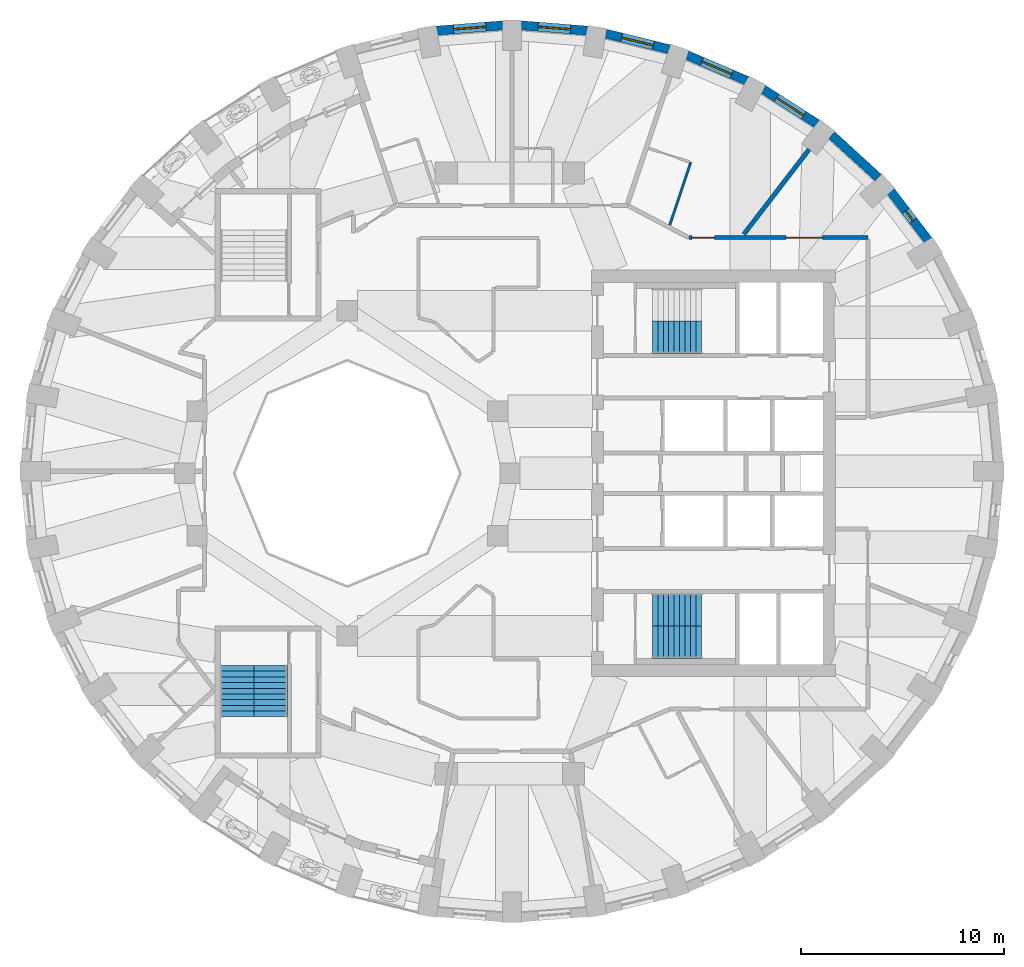
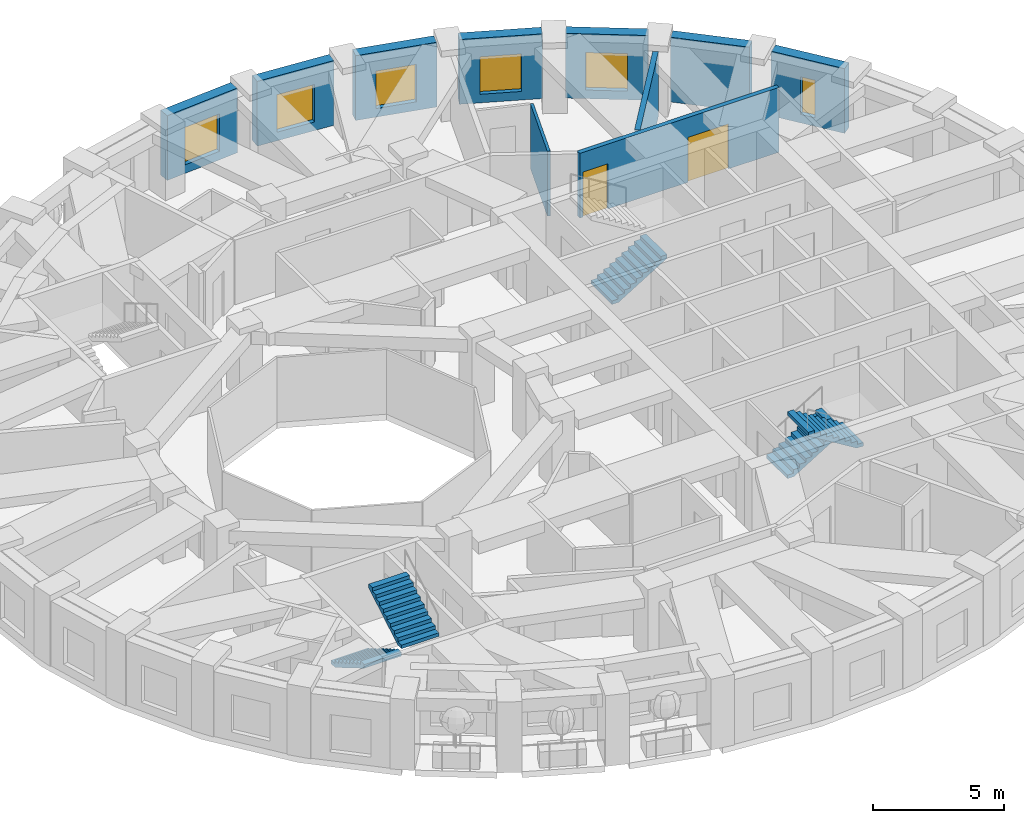
# One storey, part 8 of 12: 10 walls, 6 windows, 5 stair flights, 2 doors, 8 openings, 3 elements without a shape of their own.
"""IFC4 building model written with IfcOpenShell, lengths in metres."""

from ifc_helpers import new_model, si_unit, direction, frame, frame_2d, origin, place, context, subcontext, project, spatial, polyline, rectangle, outline, extrude, material, layer, layer_set, type_object, element, fill, aggregate, save


model = new_model("IFC4")

# Units and contexts
model_context = context("Model", 3, precision=1e-05, world=origin(), true_north=direction((0.0, 1.0)))
body_context = subcontext(model_context, "Body", "Model", "MODEL_VIEW")
ifc_project = project(units=[si_unit("LENGTHUNIT", "METRE"), si_unit("AREAUNIT", "SQUARE_METRE"), si_unit("VOLUMEUNIT", "CUBIC_METRE"), si_unit("PLANEANGLEUNIT", "RADIAN"), si_unit("MASSUNIT", "GRAM", prefix="KILO")], contexts=[model_context])

# Site, building, storey
site_placement = place(None, origin())
site = spatial("IfcSite", under=ifc_project, at=site_placement, CompositionType="ELEMENT")
building_placement = place(site_placement, origin())
building = spatial("IfcBuilding", under=site, at=building_placement, Name="Taillehof Tower", CompositionType="ELEMENT")
storey_placement = place(building_placement, frame((0.0, 0.0, 171.5)))
storey = spatial("IfcBuildingStorey", under=building, at=storey_placement, Name="L48", CompositionType="ELEMENT", Elevation=171.5)

# Wall, opening, window
ifc_material_1 = material(Name="Brick masonry", Category="masonry")
ifc_layer_1 = layer(ifc_material_1, 0.449951171875)
ifc_layer_set_1 = layer_set([ifc_layer_1], Name="Brick infill wall 450")
wall_type_1 = type_object("IfcWallType", Name="Brick infill wall 450", PredefinedType="SOLIDWALL", material=ifc_layer_set_1)
wall_1_placement = place(storey_placement, frame((20.573974609375, 11.467041015625, 0.0), z_axis=(0.0, 0.0, 1.0), x_axis=(-0.607817056371, 0.794077090706, 0.0)))
wall_1 = element("IfcWall", 1, at=wall_1_placement, inside=storey, type_object=wall_type_1, Name="Brick wall L48 bay 4", PredefinedType="SOLIDWALL", context=body_context, shape_type="SweptSolid", body=[
    extrude(rectangle(XDim=3.037109375, YDim=0.449951171875, at=frame_2d((1.5185546875, 0.0))), origin(), (0.0, 0.0, 1.0), 3.02001953125),
])
opening_1_placement = place(wall_1_placement, frame((1.218505859375, 0.0, 0.39990234375)))
opening_1 = element("IfcOpeningElement", 2, at=opening_1_placement, cuts=wall_1, Name="Opening W6", PredefinedType="OPENING", context=body_context, shape_type="SweptSolid", body=[
    extrude(rectangle(XDim=0.60009765625, YDim=1.75, at=frame_2d((0.300048828125, 0.875))), frame((0.0, 0.23486328125, 0.0), z_axis=(0.0, -1.0, 0.0), x_axis=(1.0, 0.0, 0.0)), (0.0, 0.0, 1.0), 0.469970703125),
])
ifc_material_2 = material(Name="Aluminium window frame with clear double glazing", Category="aluminium")
window_type_1 = type_object("IfcWindowType", Name="Slot window 600x1750", PartitioningType="SINGLE_PANEL", PredefinedType="WINDOW", material=ifc_material_2)
window_1_placement = place(opening_1_placement, origin())
window_1 = element("IfcWindow", 3, at=window_1_placement, inside=storey, type_object=window_type_1, Name="W6", OverallHeight=1.75, OverallWidth=0.60009765625, PartitioningType="SINGLE_PANEL", PredefinedType="WINDOW", context=body_context, shape_type="SweptSolid", body=[
    extrude(rectangle(XDim=0.60009765625, YDim=1.75, at=frame_2d((0.300048828125, 0.875))), frame((0.0, 0.034912109375, 0.0), z_axis=(0.0, -1.0, 0.0), x_axis=(1.0, 0.0, 0.0)), (0.0, 0.0, 1.0), 0.06005859375),
])
fill(opening_1, window_1)

# Wall
wall_2_placement = place(storey_placement, frame((18.11328125, 14.5498046875, 0.0), z_axis=(0.0, 0.0, 1.0), x_axis=(-0.737808755941, 0.675009807082, 0.0)))
element("IfcWall", 4, at=wall_2_placement, inside=storey, type_object=wall_type_1, Name="Brick wall L48 bay 5", PredefinedType="SOLIDWALL", context=body_context, shape_type="SweptSolid", body=[
    extrude(rectangle(XDim=3.094482421875, YDim=0.449951171875, at=frame_2d((1.54736328125, 0.0))), origin(), (0.0, 0.0, 1.0), 3.02001953125),
])

# Wall, opening, window
wall_3_placement = place(storey_placement, frame((15.1083984375, 17.193359375, 0.0), z_axis=(0.0, 0.0, 1.0), x_axis=(-0.842030726237, 0.539429565442, 0.0)))
wall_3 = element("IfcWall", 5, at=wall_3_placement, inside=storey, type_object=wall_type_1, Name="Brick wall L48 bay 6", PredefinedType="SOLIDWALL", context=body_context, shape_type="SweptSolid", body=[
    extrude(rectangle(XDim=3.1513671875, YDim=0.449951171875, at=frame_2d((1.57568359375, 0.0))), origin(), (0.0, 0.0, 1.0), 3.02001953125),
])
opening_2_placement = place(wall_3_placement, frame((0.775634765625, 0.0, 0.39990234375)))
opening_2 = element("IfcOpeningElement", 6, at=opening_2_placement, cuts=wall_3, Name="Opening W3", PredefinedType="OPENING", context=body_context, shape_type="SweptSolid", body=[
    extrude(rectangle(XDim=1.60009765625, YDim=1.75, at=frame_2d((0.800048828125, 0.875))), frame((0.0, 0.23486328125, 0.0), z_axis=(0.0, -1.0, 0.0), x_axis=(1.0, 0.0, 0.0)), (0.0, 0.0, 1.0), 0.469970703125),
])
ifc_material_3 = material(Name="Aluminium window frame with clear double glazing", Category="aluminium")
window_type_2 = type_object("IfcWindowType", Name="Deep-set window 1600x1750", PartitioningType="SINGLE_PANEL", PredefinedType="WINDOW", material=ifc_material_3)
window_2_placement = place(opening_2_placement, origin())
window_2 = element("IfcWindow", 7, at=window_2_placement, inside=storey, type_object=window_type_2, Name="W3", OverallHeight=1.75, OverallWidth=1.60009765625, PartitioningType="SINGLE_PANEL", PredefinedType="WINDOW", context=body_context, shape_type="SweptSolid", body=[
    extrude(rectangle(XDim=1.60009765625, YDim=1.75, at=frame_2d((0.800048828125, 0.875))), frame((0.0, 0.034912109375, 0.0), z_axis=(0.0, -1.0, 0.0), x_axis=(1.0, 0.0, 0.0)), (0.0, 0.0, 1.0), 0.06005859375),
])
fill(opening_2, window_2)

wall_4_placement = place(storey_placement, frame((11.650390625, 19.318603515625, 0.0), z_axis=(0.0, 0.0, 1.0), x_axis=(-0.91981046949, 0.392362969986, 0.0)))
wall_4 = element("IfcWall", 8, at=wall_4_placement, inside=storey, type_object=wall_type_1, Name="Brick wall L48 bay 7", PredefinedType="SOLIDWALL", context=body_context, shape_type="SweptSolid", body=[
    extrude(rectangle(XDim=3.20068359375, YDim=0.449951171875, at=frame_2d((1.600341796875, 0.0))), origin(), (0.0, 0.0, 1.0), 3.02001953125),
])
opening_3_placement = place(wall_4_placement, frame((0.80029296875, 0.0, 0.39990234375)))
opening_3 = element("IfcOpeningElement", 9, at=opening_3_placement, cuts=wall_4, Name="Opening W3", PredefinedType="OPENING", context=body_context, shape_type="SweptSolid", body=[
    extrude(rectangle(XDim=1.60009765625, YDim=1.75, at=frame_2d((0.800048828125, 0.875))), frame((0.0, 0.23486328125, 0.0), z_axis=(0.0, -1.0, 0.0), x_axis=(1.0, 0.0, 0.0)), (0.0, 0.0, 1.0), 0.469970703125),
])
window_3_placement = place(opening_3_placement, origin())
window_3 = element("IfcWindow", 10, at=window_3_placement, inside=storey, type_object=window_type_2, Name="W3", OverallHeight=1.75, OverallWidth=1.60009765625, PartitioningType="SINGLE_PANEL", PredefinedType="WINDOW", context=body_context, shape_type="SweptSolid", body=[
    extrude(rectangle(XDim=1.60009765625, YDim=1.75, at=frame_2d((0.800048828125, 0.875))), frame((0.0, 0.034912109375, 0.0), z_axis=(0.0, -1.0, 0.0), x_axis=(1.0, 0.0, 0.0)), (0.0, 0.0, 1.0), 0.06005859375),
])
fill(opening_3, window_3)

wall_5_placement = place(storey_placement, frame((7.843017578125, 20.8623046875, 0.0), z_axis=(0.0, 0.0, 1.0), x_axis=(-0.971237178372, 0.238114139328, 0.0)))
wall_5 = element("IfcWall", 11, at=wall_5_placement, inside=storey, type_object=wall_type_1, Name="Brick wall L48 bay 8", PredefinedType="SOLIDWALL", context=body_context, shape_type="SweptSolid", body=[
    extrude(rectangle(XDim=3.23681640625, YDim=0.449951171875, at=frame_2d((1.618408203125, 0.0))), origin(), (0.0, 0.0, 1.0), 3.02001953125),
])
opening_4_placement = place(wall_5_placement, frame((0.818359375, 0.0, 0.39990234375)))
opening_4 = element("IfcOpeningElement", 12, at=opening_4_placement, cuts=wall_5, Name="Opening W3", PredefinedType="OPENING", context=body_context, shape_type="SweptSolid", body=[
    extrude(rectangle(XDim=1.60009765625, YDim=1.75, at=frame_2d((0.800048828125, 0.875))), frame((0.0, 0.23486328125, 0.0), z_axis=(0.0, -1.0, 0.0), x_axis=(1.0, 0.0, 0.0)), (0.0, 0.0, 1.0), 0.469970703125),
])
window_4_placement = place(opening_4_placement, origin())
window_4 = element("IfcWindow", 13, at=window_4_placement, inside=storey, type_object=window_type_2, Name="W3", OverallHeight=1.75, OverallWidth=1.60009765625, PartitioningType="SINGLE_PANEL", PredefinedType="WINDOW", context=body_context, shape_type="SweptSolid", body=[
    extrude(rectangle(XDim=1.60009765625, YDim=1.75, at=frame_2d((0.800048828125, 0.875))), frame((0.0, 0.034912109375, 0.0), z_axis=(0.0, -1.0, 0.0), x_axis=(1.0, 0.0, 0.0)), (0.0, 0.0, 1.0), 0.06005859375),
])
fill(opening_4, window_4)

wall_6_placement = place(storey_placement, frame((3.80078125, 21.778076171875, 0.0), z_axis=(0.0, 0.0, 1.0), x_axis=(-0.996812416891, 0.079780984773, 0.0)))
wall_6 = element("IfcWall", 14, at=wall_6_placement, inside=storey, type_object=wall_type_1, Name="Brick wall L48 bay 9", PredefinedType="SOLIDWALL", context=body_context, shape_type="SweptSolid", body=[
    extrude(rectangle(XDim=3.256103515625, YDim=0.449951171875, at=frame_2d((1.6279296875, 0.0))), origin(), (0.0, 0.0, 1.0), 3.02001953125),
])
opening_5_placement = place(wall_6_placement, frame((0.827880859375, 0.0, 0.39990234375)))
opening_5 = element("IfcOpeningElement", 15, at=opening_5_placement, cuts=wall_6, Name="Opening W3", PredefinedType="OPENING", context=body_context, shape_type="SweptSolid", body=[
    extrude(rectangle(XDim=1.60009765625, YDim=1.75, at=frame_2d((0.800048828125, 0.875))), frame((0.0, 0.23486328125, 0.0), z_axis=(0.0, -1.0, 0.0), x_axis=(1.0, 0.0, 0.0)), (0.0, 0.0, 1.0), 0.469970703125),
])
window_5_placement = place(opening_5_placement, origin())
window_5 = element("IfcWindow", 16, at=window_5_placement, inside=storey, type_object=window_type_2, Name="W3", OverallHeight=1.75, OverallWidth=1.60009765625, PartitioningType="SINGLE_PANEL", PredefinedType="WINDOW", context=body_context, shape_type="SweptSolid", body=[
    extrude(rectangle(XDim=1.60009765625, YDim=1.75, at=frame_2d((0.800048828125, 0.875))), frame((0.0, 0.034912109375, 0.0), z_axis=(0.0, -1.0, 0.0), x_axis=(1.0, 0.0, 0.0)), (0.0, 0.0, 1.0), 0.06005859375),
])
fill(opening_5, window_5)

wall_7_placement = place(storey_placement, frame((-0.35498046875, 22.037841796875, 0.0), z_axis=(0.0, 0.0, 1.0), x_axis=(-0.996812416891, -0.079780984773, 0.0)))
wall_7 = element("IfcWall", 17, at=wall_7_placement, inside=storey, type_object=wall_type_1, Name="Brick wall L48 bay 10", PredefinedType="SOLIDWALL", context=body_context, shape_type="SweptSolid", body=[
    extrude(rectangle(XDim=3.256103515625, YDim=0.449951171875, at=frame_2d((1.6279296875, 0.0))), origin(), (0.0, 0.0, 1.0), 3.02001953125),
])
opening_6_placement = place(wall_7_placement, frame((0.827880859375, 0.0, 0.39990234375)))
opening_6 = element("IfcOpeningElement", 18, at=opening_6_placement, cuts=wall_7, Name="Opening W3", PredefinedType="OPENING", context=body_context, shape_type="SweptSolid", body=[
    extrude(rectangle(XDim=1.60009765625, YDim=1.75, at=frame_2d((0.800048828125, 0.875))), frame((0.0, 0.23486328125, 0.0), z_axis=(0.0, -1.0, 0.0), x_axis=(1.0, 0.0, 0.0)), (0.0, 0.0, 1.0), 0.469970703125),
])
window_6_placement = place(opening_6_placement, origin())
window_6 = element("IfcWindow", 19, at=window_6_placement, inside=storey, type_object=window_type_2, Name="W3", OverallHeight=1.75, OverallWidth=1.60009765625, PartitioningType="SINGLE_PANEL", PredefinedType="WINDOW", context=body_context, shape_type="SweptSolid", body=[
    extrude(rectangle(XDim=1.60009765625, YDim=1.75, at=frame_2d((0.800048828125, 0.875))), frame((0.0, 0.034912109375, 0.0), z_axis=(0.0, -1.0, 0.0), x_axis=(1.0, 0.0, 0.0)), (0.0, 0.0, 1.0), 0.06005859375),
])
fill(opening_6, window_6)

# Wall, openings, doors
ifc_material_4 = material(Name="Gypsum board on steel studs, two layers each side", Category="steel")
ifc_layer_2 = layer(ifc_material_4, 0.199951171875)
ifc_layer_set_2 = layer_set([ifc_layer_2], Name="Compartment wall corridor 200")
wall_type_2 = type_object("IfcWallType", Name="Compartment wall corridor 200", PredefinedType="PARTITIONING", material=ifc_layer_set_2)
wall_8_placement = place(storey_placement, frame((8.816650390625, 11.60009765625, 0.0), z_axis=(0.0, 0.0, 1.0), x_axis=(1.0, 0.0, 0.0)))
wall_8 = element("IfcWall", 20, at=wall_8_placement, inside=storey, type_object=wall_type_2, Name="Compartment wall", PredefinedType="PARTITIONING", context=body_context, shape_type="SweptSolid", body=[
    extrude(rectangle(XDim=8.783447265625, YDim=0.199951171875, at=frame_2d((4.3916015625, 0.0))), origin(), (0.0, 0.0, 1.0), 3.02001953125),
])
opening_7_placement = place(wall_8_placement, frame((0.139892578125, 0.0, 0.0)))
opening_7 = element("IfcOpeningElement", 21, at=opening_7_placement, cuts=wall_8, Name="Opening D4840", PredefinedType="OPENING", context=body_context, shape_type="SweptSolid", body=[
    extrude(rectangle(XDim=1.10009765625, YDim=2.10009765625, at=frame_2d((0.550048828125, 1.050048828125))), frame((0.0, 0.10986328125, 0.0), z_axis=(0.0, -1.0, 0.0), x_axis=(1.0, 0.0, 0.0)), (0.0, 0.0, 1.0), 0.219970703125),
])
opening_8_placement = place(wall_8_placement, frame((4.765625, 0.0, 0.0)))
opening_8 = element("IfcOpeningElement", 22, at=opening_8_placement, cuts=wall_8, Name="Opening D4859", PredefinedType="OPENING", context=body_context, shape_type="SweptSolid", body=[
    extrude(rectangle(XDim=1.800048828125, YDim=2.10009765625, at=frame_2d((0.89990234375, 1.050048828125))), frame((0.0, 0.10986328125, 0.0), z_axis=(0.0, -1.0, 0.0), x_axis=(1.0, 0.0, 0.0)), (0.0, 0.0, 1.0), 0.219970703125),
])
ifc_material_5 = material(Name="Timber door leaf in steel frame", Category="steel")
door_type_1 = type_object("IfcDoorType", Name="Accessible guest room door EI 30 1100 x 2100", OperationType="SINGLE_SWING_LEFT", PredefinedType="DOOR", material=ifc_material_5)
door_1_placement = place(opening_7_placement, origin())
door_1 = element("IfcDoor", 23, at=door_1_placement, inside=storey, type_object=door_type_1, Name="D4840", OperationType="SINGLE_SWING_LEFT", OverallHeight=2.10009765625, OverallWidth=1.10009765625, PredefinedType="DOOR", context=body_context, shape_type="SweptSolid", body=[
    extrude(rectangle(XDim=1.10009765625, YDim=2.10009765625, at=frame_2d((0.550048828125, 1.050048828125))), frame((0.0, 0.02490234375, 0.0), z_axis=(0.0, -1.0, 0.0), x_axis=(1.0, 0.0, 0.0)), (0.0, 0.0, 1.0), 0.050048828125),
])
fill(opening_7, door_1)
ifc_material_6 = material(Name="Timber door leaf in steel frame", Category="steel")
door_type_2 = type_object("IfcDoorType", Name="Lounge and meeting room double door EI 30 1800 x 2100", OperationType="SINGLE_SWING_LEFT", PredefinedType="DOOR", material=ifc_material_6)
door_2_placement = place(opening_8_placement, origin())
door_2 = element("IfcDoor", 24, at=door_2_placement, inside=storey, type_object=door_type_2, Name="D4859", OperationType="DOUBLE_DOOR_SINGLE_SWING", OverallHeight=2.10009765625, OverallWidth=1.800048828125, PredefinedType="DOOR", context=body_context, shape_type="SweptSolid", body=[
    extrude(rectangle(XDim=1.800048828125, YDim=2.10009765625, at=frame_2d((0.89990234375, 1.050048828125))), frame((0.0, 0.02490234375, 0.0), z_axis=(0.0, -1.0, 0.0), x_axis=(1.0, 0.0, 0.0)), (0.0, 0.0, 1.0), 0.050048828125),
])
fill(opening_8, door_2)

# Walls
ifc_material_7 = material(Name="Gypsum board on double steel studs with mineral wool", Category="steel")
ifc_layer_3 = layer(ifc_material_7, 0.219970703125)
ifc_layer_set_3 = layer_set([ifc_layer_3], Name="Compartment wall guest room 220")
wall_type_3 = type_object("IfcWallType", Name="Compartment wall guest room 220", PredefinedType="PARTITIONING", material=ifc_layer_set_3)
wall_9_placement = place(storey_placement, frame((14.7158203125, 15.937255859375, 0.0), z_axis=(0.0, 0.0, 1.0), x_axis=(-0.61000193202, -0.792399926131, 0.0)))
element("IfcWall", 25, at=wall_9_placement, inside=storey, type_object=wall_type_3, Name="Compartment wall", PredefinedType="PARTITIONING", context=body_context, shape_type="SweptSolid", body=[
    extrude(rectangle(XDim=5.26708984375, YDim=0.219970703125, at=frame_2d((2.633544921875, 0.0))), origin(), (0.0, 0.0, 1.0), 3.02001953125),
])
ifc_material_8 = material(Name="Gypsum board on steel studs, moisture resistant", Category="steel")
ifc_layer_4 = layer(ifc_material_8, 0.1201171875)
ifc_layer_set_4 = layer_set([ifc_layer_4], Name="En-suite wall 120")
wall_type_4 = type_object("IfcWallType", Name="En-suite wall 120", PredefinedType="PARTITIONING", material=ifc_layer_set_4)
wall_10_placement = place(storey_placement, frame((7.861572265625, 12.218994140625, 0.0), z_axis=(0.0, 0.0, 1.0), x_axis=(0.316678625352, 0.948532892548, 0.0)))
element("IfcWall", 26, at=wall_10_placement, inside=storey, type_object=wall_type_4, Name="En-suite wall", PredefinedType="PARTITIONING", context=body_context, shape_type="SweptSolid", body=[
    extrude(rectangle(XDim=3.248779296875, YDim=0.1201171875, at=frame_2d((1.62451171875, 0.0))), origin(), (0.0, 0.0, 1.0), 3.02001953125),
])

# Stair, stair flight
ifc_material_9 = material(Name="Concrete C40/50", Category="concrete")
stair_type = type_object("IfcStairType", Name="Exit stair half-turn", PredefinedType="HALF_TURN_STAIR", material=ifc_material_9)
stair_1_placement = place(storey_placement, origin())
stair_1 = element("IfcStair", 27, at=stair_1_placement, inside=storey, type_object=stair_type, Name="Exit stair S1", PredefinedType="HALF_TURN_STAIR")
ifc_material_10 = material(Name="Concrete C40/50", Category="concrete")
stair_flight_type_1 = type_object("IfcStairFlightType", Name="Stair flight 1600 riser 165.0 going 270", PredefinedType="STRAIGHT", material=ifc_material_10)
stair_flight_1_placement = place(storey_placement, frame((7.0, 6.699951171875, 0.0), z_axis=(0.0, 0.0, 1.0), x_axis=(1.0, 0.0, 0.0)))
stair_flight_1 = element("IfcStairFlight", 28, at=stair_flight_1_placement, type_object=stair_flight_type_1, Name="S1 flight 1", NumberOfRisers=10, NumberOfTreads=9, PredefinedType="STRAIGHT", RiserHeight=0.165, TreadLength=0.27, context=body_context, shape_type="SweptSolid", body=[
    extrude(outline(polyline([(0.0, 0.0), (0.0, 0.00537109375), (0.0, 0.0107421875), (0.0, 0.015869140625), (0.0, 0.021240234375), (0.0, 0.026611328125), (0.0, 0.031982421875), (0.0, 0.037353515625), (0.0, 0.04248046875), (0.0, 0.0478515625), (0.0, 0.05322265625), (0.0, 0.05859375), (0.0, 0.06396484375), (0.0, 0.069091796875), (0.0, 0.074462890625), (0.0, 0.079833984375), (0.0, 0.085205078125), (0.0, 0.090576171875), (0.0, 0.095703125), (0.0, 0.10107421875), (0.0, 0.1064453125), (0.0, 0.11181640625), (0.0, 0.1171875), (0.0, 0.122314453125), (0.0, 0.127685546875), (0.0, 0.133056640625), (0.0, 0.138427734375), (0.0, 0.143798828125), (0.0, 0.14892578125), (0.0, 0.154296875), (0.0, 0.15966796875), (0.0, 0.1650390625), (0.27001953125, 0.1650390625), (0.27001953125, 0.330078125), (0.5400390625, 0.330078125), (0.5400390625, 0.4951171875), (0.81005859375, 0.4951171875), (0.81005859375, 0.659912109375), (1.080078125, 0.659912109375), (1.080078125, 0.824951171875), (1.35009765625, 0.824951171875), (1.35009765625, 0.989990234375), (1.6201171875, 0.989990234375), (1.6201171875, 1.155029296875), (1.889892578125, 1.155029296875), (1.889892578125, 1.320068359375), (2.159912109375, 1.320068359375), (2.159912109375, 1.485107421875), (2.429931640625, 1.485107421875), (2.429931640625, 1.479248046875), (2.429931640625, 1.4736328125), (2.429931640625, 1.468017578125), (2.429931640625, 1.46240234375), (2.429931640625, 1.45654296875), (2.429931640625, 1.450927734375), (2.429931640625, 1.4453125), (2.429931640625, 1.439697265625), (2.429931640625, 1.43408203125), (2.429931640625, 1.42822265625), (2.429931640625, 1.422607421875), (2.429931640625, 1.4169921875), (2.429931640625, 1.411376953125), (2.429931640625, 1.40576171875), (2.429931640625, 1.39990234375), (2.429931640625, 1.394287109375), (2.429931640625, 1.388671875), (2.429931640625, 1.383056640625), (2.429931640625, 1.37744140625), (2.429931640625, 1.37158203125), (2.429931640625, 1.365966796875), (2.429931640625, 1.3603515625), (2.429931640625, 1.354736328125), (2.429931640625, 1.348876953125), (2.429931640625, 1.34326171875), (2.429931640625, 1.337646484375), (2.429931640625, 1.33203125), (2.429931640625, 1.326416015625), (2.429931640625, 1.320556640625), (2.429931640625, 1.31494140625), (2.429931640625, 1.309326171875), (0.287353515625, 0.0), (0.0, 0.0)])), frame((0.0, 0.800048828125, 0.0), z_axis=(0.0, -1.0, 0.0), x_axis=(1.0, 0.0, 0.0)), (0.0, 0.0, 1.0), 1.6),
])
aggregate(stair_1, [stair_flight_1])

# Stair, stair flights
stair_2_placement = place(storey_placement, origin())
stair_2 = element("IfcStair", 29, at=stair_2_placement, inside=storey, type_object=stair_type, Name="Exit stair S2", PredefinedType="HALF_TURN_STAIR")
stair_flight_2_placement = place(storey_placement, frame((7.0, -6.699951171875, 0.0), z_axis=(0.0, 0.0, 1.0), x_axis=(1.0, 0.0, 0.0)))
stair_flight_2 = element("IfcStairFlight", 30, at=stair_flight_2_placement, type_object=stair_flight_type_1, Name="S2 flight 1", NumberOfRisers=10, NumberOfTreads=9, PredefinedType="STRAIGHT", RiserHeight=0.165, TreadLength=0.27, context=body_context, shape_type="SweptSolid", body=[
    extrude(outline(polyline([(0.0, 0.0), (0.0, 0.00537109375), (0.0, 0.0107421875), (0.0, 0.015869140625), (0.0, 0.021240234375), (0.0, 0.026611328125), (0.0, 0.031982421875), (0.0, 0.037353515625), (0.0, 0.04248046875), (0.0, 0.0478515625), (0.0, 0.05322265625), (0.0, 0.05859375), (0.0, 0.06396484375), (0.0, 0.069091796875), (0.0, 0.074462890625), (0.0, 0.079833984375), (0.0, 0.085205078125), (0.0, 0.090576171875), (0.0, 0.095703125), (0.0, 0.10107421875), (0.0, 0.1064453125), (0.0, 0.11181640625), (0.0, 0.1171875), (0.0, 0.122314453125), (0.0, 0.127685546875), (0.0, 0.133056640625), (0.0, 0.138427734375), (0.0, 0.143798828125), (0.0, 0.14892578125), (0.0, 0.154296875), (0.0, 0.15966796875), (0.0, 0.1650390625), (0.27001953125, 0.1650390625), (0.27001953125, 0.330078125), (0.5400390625, 0.330078125), (0.5400390625, 0.4951171875), (0.81005859375, 0.4951171875), (0.81005859375, 0.659912109375), (1.080078125, 0.659912109375), (1.080078125, 0.824951171875), (1.35009765625, 0.824951171875), (1.35009765625, 0.989990234375), (1.6201171875, 0.989990234375), (1.6201171875, 1.155029296875), (1.889892578125, 1.155029296875), (1.889892578125, 1.320068359375), (2.159912109375, 1.320068359375), (2.159912109375, 1.485107421875), (2.429931640625, 1.485107421875), (2.429931640625, 1.479248046875), (2.429931640625, 1.4736328125), (2.429931640625, 1.468017578125), (2.429931640625, 1.46240234375), (2.429931640625, 1.45654296875), (2.429931640625, 1.450927734375), (2.429931640625, 1.4453125), (2.429931640625, 1.439697265625), (2.429931640625, 1.43408203125), (2.429931640625, 1.42822265625), (2.429931640625, 1.422607421875), (2.429931640625, 1.4169921875), (2.429931640625, 1.411376953125), (2.429931640625, 1.40576171875), (2.429931640625, 1.39990234375), (2.429931640625, 1.394287109375), (2.429931640625, 1.388671875), (2.429931640625, 1.383056640625), (2.429931640625, 1.37744140625), (2.429931640625, 1.37158203125), (2.429931640625, 1.365966796875), (2.429931640625, 1.3603515625), (2.429931640625, 1.354736328125), (2.429931640625, 1.348876953125), (2.429931640625, 1.34326171875), (2.429931640625, 1.337646484375), (2.429931640625, 1.33203125), (2.429931640625, 1.326416015625), (2.429931640625, 1.320556640625), (2.429931640625, 1.31494140625), (2.429931640625, 1.309326171875), (0.287353515625, 0.0), (0.0, 0.0)])), frame((0.0, 0.800048828125, 0.0), z_axis=(0.0, -1.0, 0.0), x_axis=(1.0, 0.0, 0.0)), (0.0, 0.0, 1.0), 1.6),
])
stair_flight_3_placement = place(storey_placement, frame((9.429931640625, -8.300048828125, 1.64990234375), z_axis=(0.0, 0.0, 1.0), x_axis=(-1.0, 0.0, 0.0)))
stair_flight_3 = element("IfcStairFlight", 31, at=stair_flight_3_placement, type_object=stair_flight_type_1, Name="S2 flight 2", NumberOfRisers=10, NumberOfTreads=9, PredefinedType="STRAIGHT", RiserHeight=0.165, TreadLength=0.27, context=body_context, shape_type="SweptSolid", body=[
    extrude(outline(polyline([(0.0, 0.0), (0.0, 0.00537109375), (0.0, 0.0107421875), (0.0, 0.015869140625), (0.0, 0.021240234375), (0.0, 0.026611328125), (0.0, 0.031982421875), (0.0, 0.037353515625), (0.0, 0.04248046875), (0.0, 0.0478515625), (0.0, 0.05322265625), (0.0, 0.05859375), (0.0, 0.06396484375), (0.0, 0.069091796875), (0.0, 0.074462890625), (0.0, 0.079833984375), (0.0, 0.085205078125), (0.0, 0.090576171875), (0.0, 0.095703125), (0.0, 0.10107421875), (0.0, 0.1064453125), (0.0, 0.11181640625), (0.0, 0.1171875), (0.0, 0.122314453125), (0.0, 0.127685546875), (0.0, 0.133056640625), (0.0, 0.138427734375), (0.0, 0.143798828125), (0.0, 0.14892578125), (0.0, 0.154296875), (0.0, 0.15966796875), (0.0, 0.1650390625), (0.27001953125, 0.1650390625), (0.27001953125, 0.330078125), (0.5400390625, 0.330078125), (0.5400390625, 0.4951171875), (0.81005859375, 0.4951171875), (0.81005859375, 0.659912109375), (1.080078125, 0.659912109375), (1.080078125, 0.824951171875), (1.35009765625, 0.824951171875), (1.35009765625, 0.989990234375), (1.6201171875, 0.989990234375), (1.6201171875, 1.155029296875), (1.889892578125, 1.155029296875), (1.889892578125, 1.320068359375), (2.159912109375, 1.320068359375), (2.159912109375, 1.485107421875), (2.429931640625, 1.485107421875), (2.429931640625, 1.479248046875), (2.429931640625, 1.4736328125), (2.429931640625, 1.468017578125), (2.429931640625, 1.46240234375), (2.429931640625, 1.45654296875), (2.429931640625, 1.450927734375), (2.429931640625, 1.4453125), (2.429931640625, 1.439697265625), (2.429931640625, 1.43408203125), (2.429931640625, 1.42822265625), (2.429931640625, 1.422607421875), (2.429931640625, 1.4169921875), (2.429931640625, 1.411376953125), (2.429931640625, 1.40576171875), (2.429931640625, 1.39990234375), (2.429931640625, 1.394287109375), (2.429931640625, 1.388671875), (2.429931640625, 1.383056640625), (2.429931640625, 1.37744140625), (2.429931640625, 1.37158203125), (2.429931640625, 1.365966796875), (2.429931640625, 1.3603515625), (2.429931640625, 1.354736328125), (2.429931640625, 1.348876953125), (2.429931640625, 1.34326171875), (2.429931640625, 1.337646484375), (2.429931640625, 1.33203125), (2.429931640625, 1.326416015625), (2.429931640625, 1.320556640625), (2.429931640625, 1.31494140625), (2.429931640625, 1.309326171875), (0.287353515625, 0.0), (0.0, 0.0)])), frame((0.0, 0.800048828125, 0.0), z_axis=(0.0, -1.0, 0.0), x_axis=(1.0, 0.0, 0.0)), (0.0, 0.0, 1.0), 1.6),
])
aggregate(stair_2, [stair_flight_2, stair_flight_3])

stair_3_placement = place(storey_placement, origin())
stair_3 = element("IfcStair", 32, at=stair_3_placement, inside=storey, type_object=stair_type, Name="Exit stair S4", PredefinedType="HALF_TURN_STAIR")
ifc_material_11 = material(Name="Concrete C40/50", Category="concrete")
stair_flight_type_2 = type_object("IfcStairFlightType", Name="Stair flight 1650 riser 165.0 going 280", PredefinedType="STRAIGHT", material=ifc_material_11)
stair_flight_4_placement = place(storey_placement, frame((-13.425048828125, -9.449951171875, 0.0), z_axis=(0.0, 0.0, 1.0), x_axis=(0.0, -1.0, 0.0)))
stair_flight_4 = element("IfcStairFlight", 33, at=stair_flight_4_placement, type_object=stair_flight_type_2, Name="S4 flight 1", NumberOfRisers=10, NumberOfTreads=9, PredefinedType="STRAIGHT", RiserHeight=0.165, TreadLength=0.28, context=body_context, shape_type="SweptSolid", body=[
    extrude(outline(polyline([(0.0, 0.0), (0.0, 0.00537109375), (0.0, 0.0107421875), (0.0, 0.015869140625), (0.0, 0.021240234375), (0.0, 0.026611328125), (0.0, 0.031982421875), (0.0, 0.037353515625), (0.0, 0.04248046875), (0.0, 0.0478515625), (0.0, 0.05322265625), (0.0, 0.05859375), (0.0, 0.06396484375), (0.0, 0.069091796875), (0.0, 0.074462890625), (0.0, 0.079833984375), (0.0, 0.085205078125), (0.0, 0.090576171875), (0.0, 0.095703125), (0.0, 0.10107421875), (0.0, 0.1064453125), (0.0, 0.11181640625), (0.0, 0.1171875), (0.0, 0.122314453125), (0.0, 0.127685546875), (0.0, 0.133056640625), (0.0, 0.138427734375), (0.0, 0.143798828125), (0.0, 0.14892578125), (0.0, 0.154296875), (0.0, 0.15966796875), (0.0, 0.1650390625), (0.280029296875, 0.1650390625), (0.280029296875, 0.330078125), (0.56005859375, 0.330078125), (0.56005859375, 0.4951171875), (0.840087890625, 0.4951171875), (0.840087890625, 0.659912109375), (1.1201171875, 0.659912109375), (1.1201171875, 0.824951171875), (1.39990234375, 0.824951171875), (1.39990234375, 0.989990234375), (1.679931640625, 0.989990234375), (1.679931640625, 1.155029296875), (1.9599609375, 1.155029296875), (1.9599609375, 1.320068359375), (2.239990234375, 1.320068359375), (2.239990234375, 1.485107421875), (2.52001953125, 1.485107421875), (2.52001953125, 1.4794921875), (2.52001953125, 1.473876953125), (2.52001953125, 1.46826171875), (2.52001953125, 1.462646484375), (2.52001953125, 1.45703125), (2.52001953125, 1.451416015625), (2.52001953125, 1.44580078125), (2.52001953125, 1.440185546875), (2.52001953125, 1.4345703125), (2.52001953125, 1.428955078125), (2.52001953125, 1.42333984375), (2.52001953125, 1.417724609375), (2.52001953125, 1.412109375), (2.52001953125, 1.406494140625), (2.52001953125, 1.40087890625), (2.52001953125, 1.395263671875), (2.52001953125, 1.3896484375), (2.52001953125, 1.384033203125), (2.52001953125, 1.37841796875), (2.52001953125, 1.372802734375), (2.52001953125, 1.3671875), (2.52001953125, 1.361572265625), (2.52001953125, 1.35595703125), (2.52001953125, 1.350341796875), (2.52001953125, 1.3447265625), (2.52001953125, 1.339111328125), (2.52001953125, 1.33349609375), (2.52001953125, 1.327880859375), (2.52001953125, 1.322265625), (2.52001953125, 1.316650390625), (2.52001953125, 1.31103515625), (0.295166015625, 0.0), (0.0, 0.0)])), frame((0.0, 0.824951171875, 0.0), z_axis=(0.0, -1.0, 0.0), x_axis=(1.0, 0.0, 0.0)), (0.0, 0.0, 1.0), 1.65),
])
stair_flight_5_placement = place(storey_placement, frame((-11.77490234375, -11.969970703125, 1.64990234375), z_axis=(0.0, 0.0, 1.0), x_axis=(0.0, 1.0, 0.0)))
stair_flight_5 = element("IfcStairFlight", 34, at=stair_flight_5_placement, type_object=stair_flight_type_2, Name="S4 flight 2", NumberOfRisers=10, NumberOfTreads=9, PredefinedType="STRAIGHT", RiserHeight=0.165, TreadLength=0.28, context=body_context, shape_type="SweptSolid", body=[
    extrude(outline(polyline([(0.0, 0.0), (0.0, 0.00537109375), (0.0, 0.0107421875), (0.0, 0.015869140625), (0.0, 0.021240234375), (0.0, 0.026611328125), (0.0, 0.031982421875), (0.0, 0.037353515625), (0.0, 0.04248046875), (0.0, 0.0478515625), (0.0, 0.05322265625), (0.0, 0.05859375), (0.0, 0.06396484375), (0.0, 0.069091796875), (0.0, 0.074462890625), (0.0, 0.079833984375), (0.0, 0.085205078125), (0.0, 0.090576171875), (0.0, 0.095703125), (0.0, 0.10107421875), (0.0, 0.1064453125), (0.0, 0.11181640625), (0.0, 0.1171875), (0.0, 0.122314453125), (0.0, 0.127685546875), (0.0, 0.133056640625), (0.0, 0.138427734375), (0.0, 0.143798828125), (0.0, 0.14892578125), (0.0, 0.154296875), (0.0, 0.15966796875), (0.0, 0.1650390625), (0.280029296875, 0.1650390625), (0.280029296875, 0.330078125), (0.56005859375, 0.330078125), (0.56005859375, 0.4951171875), (0.840087890625, 0.4951171875), (0.840087890625, 0.659912109375), (1.1201171875, 0.659912109375), (1.1201171875, 0.824951171875), (1.39990234375, 0.824951171875), (1.39990234375, 0.989990234375), (1.679931640625, 0.989990234375), (1.679931640625, 1.155029296875), (1.9599609375, 1.155029296875), (1.9599609375, 1.320068359375), (2.239990234375, 1.320068359375), (2.239990234375, 1.485107421875), (2.52001953125, 1.485107421875), (2.52001953125, 1.4794921875), (2.52001953125, 1.473876953125), (2.52001953125, 1.46826171875), (2.52001953125, 1.462646484375), (2.52001953125, 1.45703125), (2.52001953125, 1.451416015625), (2.52001953125, 1.44580078125), (2.52001953125, 1.440185546875), (2.52001953125, 1.4345703125), (2.52001953125, 1.428955078125), (2.52001953125, 1.42333984375), (2.52001953125, 1.417724609375), (2.52001953125, 1.412109375), (2.52001953125, 1.406494140625), (2.52001953125, 1.40087890625), (2.52001953125, 1.395263671875), (2.52001953125, 1.3896484375), (2.52001953125, 1.384033203125), (2.52001953125, 1.37841796875), (2.52001953125, 1.372802734375), (2.52001953125, 1.3671875), (2.52001953125, 1.361572265625), (2.52001953125, 1.35595703125), (2.52001953125, 1.350341796875), (2.52001953125, 1.3447265625), (2.52001953125, 1.339111328125), (2.52001953125, 1.33349609375), (2.52001953125, 1.327880859375), (2.52001953125, 1.322265625), (2.52001953125, 1.316650390625), (2.52001953125, 1.31103515625), (0.295166015625, 0.0), (0.0, 0.0)])), frame((0.0, 0.824951171875, 0.0), z_axis=(0.0, -1.0, 0.0), x_axis=(1.0, 0.0, 0.0)), (0.0, 0.0, 1.0), 1.65),
])
aggregate(stair_3, [stair_flight_4, stair_flight_5])

save(model, "model.ifc")
